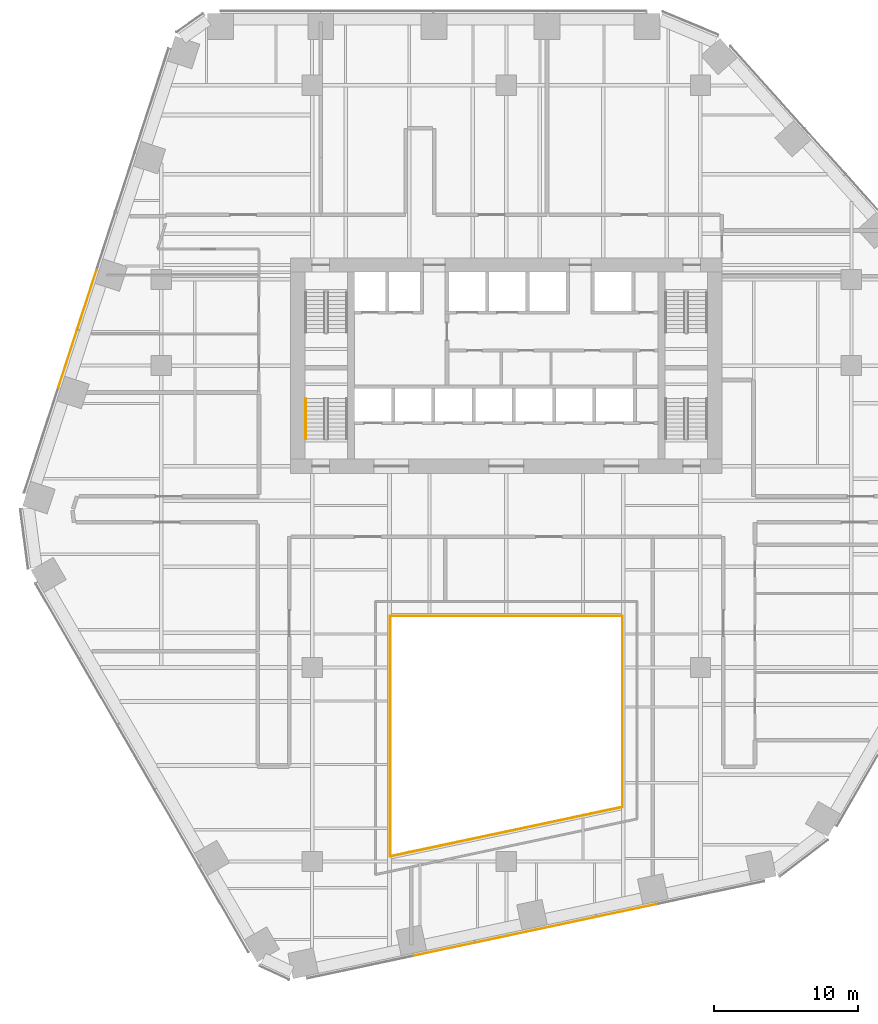
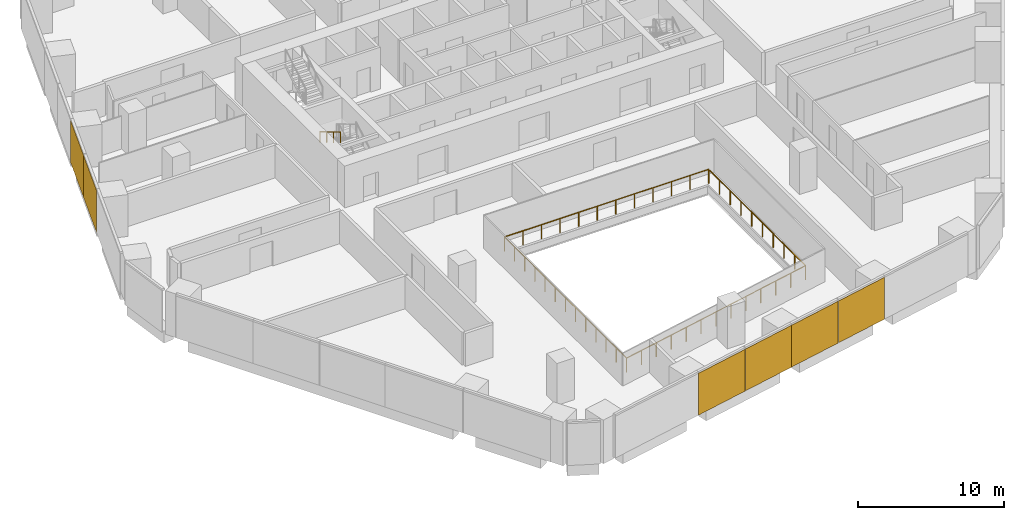
# One storey, part 18 of 20: 6 coverings, 5 railings, 2 elements without a shape of their own.
"""IFC4 building model written with IfcOpenShell, lengths in metres."""

from ifc_helpers import new_model, si_unit, direction, frame, origin, origin_2d, place, context, subcontext, project, spatial, rectangle, circle, extrude, material, layer, layer_set, type_object, element, aggregate, save


model = new_model("IFC4")

# Units and contexts
model_context = context("Model", 3, precision=1e-05, world=origin(), true_north=direction((0.0, 1.0)))
body_context = subcontext(model_context, "Body", "Model", "MODEL_VIEW")
ifc_project = project(units=[si_unit("LENGTHUNIT", "METRE"), si_unit("AREAUNIT", "SQUARE_METRE"), si_unit("VOLUMEUNIT", "CUBIC_METRE"), si_unit("PLANEANGLEUNIT", "RADIAN"), si_unit("MASSUNIT", "GRAM", prefix="KILO")], contexts=[model_context])

# Site, building, storey
site_placement = place(None, origin())
site = spatial("IfcSite", under=ifc_project, at=site_placement, CompositionType="ELEMENT")
building_placement = place(site_placement, origin())
building = spatial("IfcBuilding", under=site, at=building_placement, Name="Isthmus Gate Tower", CompositionType="ELEMENT")
storey_placement = place(building_placement, frame((0.0, 0.0, 65.199951171875)))
storey = spatial("IfcBuildingStorey", under=building, at=storey_placement, Name="L14", CompositionType="ELEMENT", Elevation=65.199951171875)

# Railings
ifc_material_1 = material(Name="Laminated toughened glass balustrade with steel rail", Category="steel")
railing_type_1 = type_object("IfcRailingType", Name="ATRIUM GUARD GLASS BALUSTRADE 1200", PredefinedType="GUARDRAIL", material=ifc_material_1)
railing_1_placement = place(storey_placement, frame((-8.080078125, -26.642822265625, 0.0)))
element("IfcRailing", 1, at=railing_1_placement, inside=storey, type_object=railing_type_1, Name="L14 atrium guard", PredefinedType="GUARDRAIL", context=body_context, shape_type="SweptSolid", body=[
    extrude(circle(Radius=0.02490234375, at=origin_2d()), frame((0.0, 0.0, 1.1748046875), z_axis=(0.0, 1.0, 0.0), x_axis=(-1.0, 0.0, 0.0)), (0.0, 0.0, 1.0), 16.722900390625),
    extrude(circle(Radius=0.02490234375, at=origin_2d()), origin(), (0.0, 0.0, 1.0), 1.14990234375),
    extrude(circle(Radius=0.02490234375, at=origin_2d()), frame((0.0, 1.3935546875, 0.0)), (0.0, 0.0, 1.0), 1.14990234375),
    extrude(circle(Radius=0.02490234375, at=origin_2d()), frame((0.0, 2.787109375, 0.0)), (0.0, 0.0, 1.0), 1.14990234375),
    extrude(circle(Radius=0.02490234375, at=origin_2d()), frame((0.0, 4.1806640625, 0.0)), (0.0, 0.0, 1.0), 1.14990234375),
    extrude(circle(Radius=0.02490234375, at=origin_2d()), frame((0.0, 5.57421875, 0.0)), (0.0, 0.0, 1.0), 1.14990234375),
    extrude(circle(Radius=0.02490234375, at=origin_2d()), frame((0.0, 6.9677734375, 0.0)), (0.0, 0.0, 1.0), 1.14990234375),
    extrude(circle(Radius=0.02490234375, at=origin_2d()), frame((0.0, 8.361328125, 0.0)), (0.0, 0.0, 1.0), 1.14990234375),
    extrude(circle(Radius=0.02490234375, at=origin_2d()), frame((0.0, 9.755126953125, 0.0)), (0.0, 0.0, 1.0), 1.14990234375),
    extrude(circle(Radius=0.02490234375, at=origin_2d()), frame((0.0, 11.148681640625, 0.0)), (0.0, 0.0, 1.0), 1.14990234375),
    extrude(circle(Radius=0.02490234375, at=origin_2d()), frame((0.0, 12.542236328125, 0.0)), (0.0, 0.0, 1.0), 1.14990234375),
    extrude(circle(Radius=0.02490234375, at=origin_2d()), frame((0.0, 13.935791015625, 0.0)), (0.0, 0.0, 1.0), 1.14990234375),
    extrude(circle(Radius=0.02490234375, at=origin_2d()), frame((0.0, 15.329345703125, 0.0)), (0.0, 0.0, 1.0), 1.14990234375),
    extrude(circle(Radius=0.02490234375, at=origin_2d()), frame((0.0, 16.722900390625, 0.0)), (0.0, 0.0, 1.0), 1.14990234375),
])
railing_2_placement = place(storey_placement, frame((-8.080078125, -9.919921875, 0.0)))
element("IfcRailing", 2, at=railing_2_placement, inside=storey, type_object=railing_type_1, Name="L14 atrium guard", PredefinedType="GUARDRAIL", context=body_context, shape_type="SweptSolid", body=[
    extrude(circle(Radius=0.02490234375, at=origin_2d()), frame((0.0, 0.0, 1.1748046875), z_axis=(1.0, 0.0, 0.0), x_axis=(0.0, 1.0, 0.0)), (0.0, 0.0, 1.0), 16.16015625),
    extrude(circle(Radius=0.02490234375, at=origin_2d()), origin(), (0.0, 0.0, 1.0), 1.14990234375),
    extrude(circle(Radius=0.02490234375, at=origin_2d()), frame((1.468994140625, 0.0, 0.0)), (0.0, 0.0, 1.0), 1.14990234375),
    extrude(circle(Radius=0.02490234375, at=origin_2d()), frame((2.938232421875, 0.0, 0.0)), (0.0, 0.0, 1.0), 1.14990234375),
    extrude(circle(Radius=0.02490234375, at=origin_2d()), frame((4.4072265625, 0.0, 0.0)), (0.0, 0.0, 1.0), 1.14990234375),
    extrude(circle(Radius=0.02490234375, at=origin_2d()), frame((5.87646484375, 0.0, 0.0)), (0.0, 0.0, 1.0), 1.14990234375),
    extrude(circle(Radius=0.02490234375, at=origin_2d()), frame((7.345458984375, 0.0, 0.0)), (0.0, 0.0, 1.0), 1.14990234375),
    extrude(circle(Radius=0.02490234375, at=origin_2d()), frame((8.814697265625, 0.0, 0.0)), (0.0, 0.0, 1.0), 1.14990234375),
    extrude(circle(Radius=0.02490234375, at=origin_2d()), frame((10.28369140625, 0.0, 0.0)), (0.0, 0.0, 1.0), 1.14990234375),
    extrude(circle(Radius=0.02490234375, at=origin_2d()), frame((11.7529296875, 0.0, 0.0)), (0.0, 0.0, 1.0), 1.14990234375),
    extrude(circle(Radius=0.02490234375, at=origin_2d()), frame((13.221923828125, 0.0, 0.0)), (0.0, 0.0, 1.0), 1.14990234375),
    extrude(circle(Radius=0.02490234375, at=origin_2d()), frame((14.691162109375, 0.0, 0.0)), (0.0, 0.0, 1.0), 1.14990234375),
    extrude(circle(Radius=0.02490234375, at=origin_2d()), frame((16.16015625, 0.0, 0.0)), (0.0, 0.0, 1.0), 1.14990234375),
])
railing_3_placement = place(storey_placement, frame((8.080078125, -9.919921875, 0.0)))
element("IfcRailing", 3, at=railing_3_placement, inside=storey, type_object=railing_type_1, Name="L14 atrium guard", PredefinedType="GUARDRAIL", context=body_context, shape_type="SweptSolid", body=[
    extrude(circle(Radius=0.02490234375, at=origin_2d()), frame((0.0, 0.0, 1.1748046875), z_axis=(0.0, -1.0, 0.0), x_axis=(1.0, 0.0, 0.0)), (0.0, 0.0, 1.0), 13.2880859375),
    extrude(circle(Radius=0.02490234375, at=origin_2d()), origin(), (0.0, 0.0, 1.0), 1.14990234375),
    extrude(circle(Radius=0.02490234375, at=origin_2d()), frame((0.0, -1.4765625, 0.0)), (0.0, 0.0, 1.0), 1.14990234375),
    extrude(circle(Radius=0.02490234375, at=origin_2d()), frame((0.0, -2.952880859375, 0.0)), (0.0, 0.0, 1.0), 1.14990234375),
    extrude(circle(Radius=0.02490234375, at=origin_2d()), frame((0.0, -4.429443359375, 0.0)), (0.0, 0.0, 1.0), 1.14990234375),
    extrude(circle(Radius=0.02490234375, at=origin_2d()), frame((0.0, -5.90576171875, 0.0)), (0.0, 0.0, 1.0), 1.14990234375),
    extrude(circle(Radius=0.02490234375, at=origin_2d()), frame((0.0, -7.38232421875, 0.0)), (0.0, 0.0, 1.0), 1.14990234375),
    extrude(circle(Radius=0.02490234375, at=origin_2d()), frame((0.0, -8.858642578125, 0.0)), (0.0, 0.0, 1.0), 1.14990234375),
    extrude(circle(Radius=0.02490234375, at=origin_2d()), frame((0.0, -10.335205078125, 0.0)), (0.0, 0.0, 1.0), 1.14990234375),
    extrude(circle(Radius=0.02490234375, at=origin_2d()), frame((0.0, -11.8115234375, 0.0)), (0.0, 0.0, 1.0), 1.14990234375),
    extrude(circle(Radius=0.02490234375, at=origin_2d()), frame((0.0, -13.2880859375, 0.0)), (0.0, 0.0, 1.0), 1.14990234375),
])
railing_4_placement = place(storey_placement, frame((8.080078125, -23.2080078125, 0.0)))
element("IfcRailing", 4, at=railing_4_placement, inside=storey, type_object=railing_type_1, Name="L14 atrium guard", PredefinedType="GUARDRAIL", context=body_context, shape_type="SweptSolid", body=[
    extrude(circle(Radius=0.02490234375, at=origin_2d()), frame((0.0, 0.0, 1.1748046875), z_axis=(-0.978149235358, -0.207904000366, 0.0), x_axis=(0.207904000366, -0.978149235358, 0.0)), (0.0, 0.0, 1.0), 16.521240234375),
    extrude(circle(Radius=0.02490234375, at=origin_2d()), origin(), (0.0, 0.0, 1.0), 1.14990234375),
    extrude(circle(Radius=0.02490234375, at=origin_2d()), frame((-1.3466796875, -0.2861328125, 0.0)), (0.0, 0.0, 1.0), 1.14990234375),
    extrude(circle(Radius=0.02490234375, at=origin_2d()), frame((-2.693359375, -0.572509765625, 0.0)), (0.0, 0.0, 1.0), 1.14990234375),
    extrude(circle(Radius=0.02490234375, at=origin_2d()), frame((-4.0400390625, -0.858642578125, 0.0)), (0.0, 0.0, 1.0), 1.14990234375),
    extrude(circle(Radius=0.02490234375, at=origin_2d()), frame((-5.38671875, -1.14501953125, 0.0)), (0.0, 0.0, 1.0), 1.14990234375),
    extrude(circle(Radius=0.02490234375, at=origin_2d()), frame((-6.7333984375, -1.43115234375, 0.0)), (0.0, 0.0, 1.0), 1.14990234375),
    extrude(circle(Radius=0.02490234375, at=origin_2d()), frame((-8.080078125, -1.71728515625, 0.0)), (0.0, 0.0, 1.0), 1.14990234375),
    extrude(circle(Radius=0.02490234375, at=origin_2d()), frame((-9.4267578125, -2.003662109375, 0.0)), (0.0, 0.0, 1.0), 1.14990234375),
    extrude(circle(Radius=0.02490234375, at=origin_2d()), frame((-10.7734375, -2.289794921875, 0.0)), (0.0, 0.0, 1.0), 1.14990234375),
    extrude(circle(Radius=0.02490234375, at=origin_2d()), frame((-12.1201171875, -2.576171875, 0.0)), (0.0, 0.0, 1.0), 1.14990234375),
    extrude(circle(Radius=0.02490234375, at=origin_2d()), frame((-13.466796875, -2.8623046875, 0.0)), (0.0, 0.0, 1.0), 1.14990234375),
    extrude(circle(Radius=0.02490234375, at=origin_2d()), frame((-14.8134765625, -3.148681640625, 0.0)), (0.0, 0.0, 1.0), 1.14990234375),
    extrude(circle(Radius=0.02490234375, at=origin_2d()), frame((-16.16015625, -3.434814453125, 0.0)), (0.0, 0.0, 1.0), 1.14990234375),
])

# Curtain wall, coverings
ifc_material_2 = material(Name="Aluminium, pale champagne anodised", Category="aluminium")
ifc_layer_1 = layer(ifc_material_2, 0.199951171875)
ifc_layer_set_1 = layer_set([ifc_layer_1], Name="CW-1 UNITISED CURTAIN WALL 200 DEEP")
curtain_wall_type = type_object("IfcCurtainWallType", Name="CW-1 UNITISED CURTAIN WALL 200 DEEP", PredefinedType="NOTDEFINED", material=ifc_layer_set_1)
curtain_wall_1_placement = place(storey_placement, origin())
curtain_wall_1 = element("IfcCurtainWall", 5, at=curtain_wall_1_placement, inside=storey, type_object=curtain_wall_type, Name="CW-1 NW L14", PredefinedType="NOTDEFINED")
ifc_material_3 = material(Name="Aluminium composite panel, pale champagne anodised", Category="aluminium")
ifc_layer_2 = layer(ifc_material_3, 0.0400390625)
ifc_layer_set_2 = layer_set([ifc_layer_2], Name="CW-1 PALE METAL PANEL 40")
covering_type = type_object("IfcCoveringType", Name="CW-1 PALE METAL PANEL 40", PredefinedType="CLADDING", material=ifc_layer_set_2)
covering_1_placement = place(storey_placement, frame((-29.17236328125, 12.09033203125, 0.0), z_axis=(0.0, 0.0, 1.0), x_axis=(-0.309016994375, -0.951056516295, 0.0)))
covering_1 = element("IfcCovering", 6, at=covering_1_placement, type_object=covering_type, Name="CW-1 pale metal panel", PredefinedType="CLADDING", context=body_context, shape_type="SweptSolid", body=[
    extrude(rectangle(XDim=4.294677734375, YDim=0.0400390625, at=origin_2d()), origin(), (0.0, 0.0, 1.0), 3.5),
])
covering_2_placement = place(storey_placement, frame((-30.5087890625, 7.9775390625, 0.0), z_axis=(0.0, 0.0, 1.0), x_axis=(-0.309016994375, -0.951056516295, 0.0)))
covering_2 = element("IfcCovering", 7, at=covering_2_placement, type_object=covering_type, Name="CW-1 pale metal panel", PredefinedType="CLADDING", context=body_context, shape_type="SweptSolid", body=[
    extrude(rectangle(XDim=4.234619140625, YDim=0.0400390625, at=origin_2d()), origin(), (0.0, 0.0, 1.0), 3.5),
])
aggregate(curtain_wall_1, [covering_1, covering_2])

curtain_wall_2_placement = place(storey_placement, origin())
curtain_wall_2 = element("IfcCurtainWall", 8, at=curtain_wall_2_placement, inside=storey, type_object=curtain_wall_type, Name="CW-1 S L14", PredefinedType="NOTDEFINED")
covering_3_placement = place(storey_placement, frame((-4.2861328125, -33.094970703125, 0.0), z_axis=(0.0, 0.0, 1.0), x_axis=(0.978147600734, 0.207911690818, 0.0)))
covering_3 = element("IfcCovering", 9, at=covering_3_placement, type_object=covering_type, Name="CW-1 pale metal panel", PredefinedType="CLADDING", context=body_context, shape_type="SweptSolid", body=[
    extrude(rectangle(XDim=4.294677734375, YDim=0.0400390625, at=origin_2d()), origin(), (0.0, 0.0, 1.0), 3.5),
])
covering_4_placement = place(storey_placement, frame((-0.055908203125, -32.19580078125, 0.0), z_axis=(0.0, 0.0, 1.0), x_axis=(0.978147600734, 0.207911690818, 0.0)))
covering_4 = element("IfcCovering", 10, at=covering_4_placement, type_object=covering_type, Name="CW-1 pale metal panel", PredefinedType="CLADDING", context=body_context, shape_type="SweptSolid", body=[
    extrude(rectangle(XDim=4.234619140625, YDim=0.0400390625, at=origin_2d()), origin(), (0.0, 0.0, 1.0), 3.5),
])
covering_5_placement = place(storey_placement, frame((4.115478515625, -31.309326171875, 0.0), z_axis=(0.0, 0.0, 1.0), x_axis=(0.978147600734, 0.207911690818, 0.0)))
covering_5 = element("IfcCovering", 11, at=covering_5_placement, type_object=covering_type, Name="CW-1 pale metal panel", PredefinedType="CLADDING", context=body_context, shape_type="SweptSolid", body=[
    extrude(rectangle(XDim=4.294677734375, YDim=0.0400390625, at=origin_2d()), origin(), (0.0, 0.0, 1.0), 3.5),
])
covering_6_placement = place(storey_placement, frame((8.345703125, -30.41015625, 0.0), z_axis=(0.0, 0.0, 1.0), x_axis=(0.978147600734, 0.207911690818, 0.0)))
covering_6 = element("IfcCovering", 12, at=covering_6_placement, type_object=covering_type, Name="CW-1 pale metal panel", PredefinedType="CLADDING", context=body_context, shape_type="SweptSolid", body=[
    extrude(rectangle(XDim=4.234619140625, YDim=0.0400390625, at=origin_2d()), origin(), (0.0, 0.0, 1.0), 3.5),
])
aggregate(curtain_wall_2, [covering_3, covering_4, covering_5, covering_6])

# Railing
ifc_material_4 = material(Name="Stainless steel handrail", Category="steel")
railing_type_2 = type_object("IfcRailingType", Name="STAIR HANDRAIL 900", PredefinedType="HANDRAIL", material=ifc_material_4)
railing_5_placement = place(storey_placement, frame((-13.949951171875, 5.199951171875, 1.990966796875)))
element("IfcRailing", 13, at=railing_5_placement, inside=storey, type_object=railing_type_2, Name="L14 ST7 stair handrail 2", PredefinedType="HANDRAIL", context=body_context, shape_type="SweptSolid", body=[
    extrude(circle(Radius=0.02392578125, at=origin_2d()), frame((0.0, 0.0, 0.8759765625), z_axis=(0.0, -0.860306154799, 0.50977771628), x_axis=(1.0, 0.0, 0.0)), (0.0, 0.0, 1.0), 3.254638671875),
    extrude(circle(Radius=0.02099609375, at=origin_2d()), origin(), (0.0, 0.0, 1.0), 0.851806640625),
    extrude(circle(Radius=0.02099609375, at=origin_2d()), frame((0.0, -0.933349609375, 0.552978515625)), (0.0, 0.0, 1.0), 0.851806640625),
    extrude(circle(Radius=0.02099609375, at=origin_2d()), frame((0.0, -1.86669921875, 1.106201171875)), (0.0, 0.0, 1.0), 0.851806640625),
    extrude(circle(Radius=0.02099609375, at=origin_2d()), frame((0.0, -2.800048828125, 1.6591796875)), (0.0, 0.0, 1.0), 0.851806640625),
])

save(model, "model.ifc")
